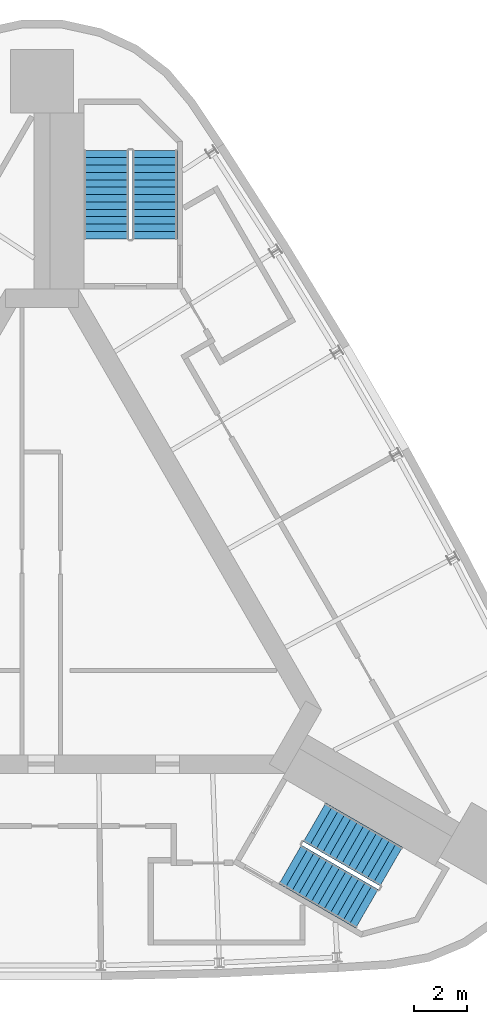
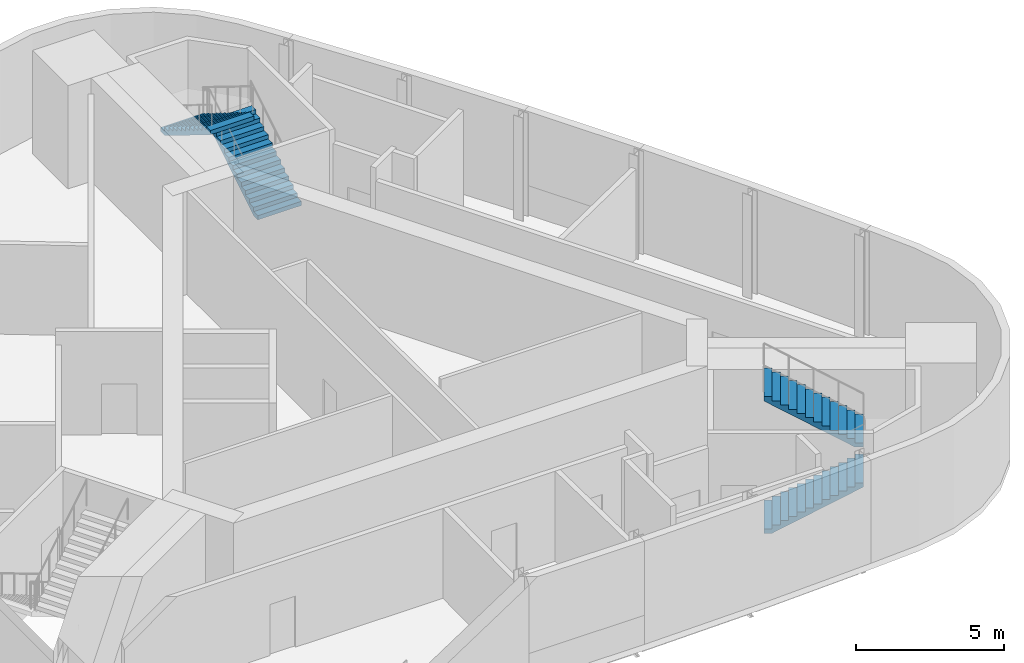
# One storey, part 6 of 7: 4 stair flights, 2 elements without a shape of their own.
"""IFC4 building model written with IfcOpenShell, lengths in metres."""

from ifc_helpers import new_model, si_unit, direction, frame, origin, place, context, subcontext, project, spatial, polyline, outline, extrude, material, type_object, element, aggregate, save


model = new_model("IFC4")

# Units and contexts
model_context = context("Model", 3, precision=1e-05, world=origin(), true_north=direction((0.0, 1.0)))
body_context = subcontext(model_context, "Body", "Model", "MODEL_VIEW")
ifc_project = project(units=[si_unit("LENGTHUNIT", "METRE"), si_unit("AREAUNIT", "SQUARE_METRE"), si_unit("VOLUMEUNIT", "CUBIC_METRE"), si_unit("PLANEANGLEUNIT", "RADIAN"), si_unit("MASSUNIT", "GRAM", prefix="KILO")], contexts=[model_context])

# Site, building, storey
site_placement = place(None, origin())
site = spatial("IfcSite", under=ifc_project, at=site_placement, CompositionType="ELEMENT")
building_placement = place(site_placement, origin())
building = spatial("IfcBuilding", under=site, at=building_placement, Name="Noor Cloister Tower", CompositionType="ELEMENT")
storey_placement = place(building_placement, frame((0.0, 0.0, 284.10009765625)))
storey = spatial("IfcBuildingStorey", under=building, at=storey_placement, Name="L72", CompositionType="ELEMENT", Elevation=284.10009765625)

# Stair, stair flights
ifc_material_1 = material(Name="Concrete C40/50", Category="concrete")
stair_type = type_object("IfcStairType", Name="Exit stair 26 risers", PredefinedType="HALF_TURN_STAIR", material=ifc_material_1)
stair_1_placement = place(storey_placement, origin())
stair_1 = element("IfcStair", 1, at=stair_1_placement, inside=storey, type_object=stair_type, Name="Exit stair ST1 L72", PredefinedType="HALF_TURN_STAIR")
ifc_material_2 = material(Name="Concrete C40/50", Category="concrete")
stair_flight_type = type_object("IfcStairFlightType", Name="Exit stair flight", PredefinedType="STRAIGHT", material=ifc_material_2)
stair_flight_1_placement = place(storey_placement, frame((4.28564453125, 13.3564453125, 0.0), z_axis=(0.0, 0.0, 1.0), x_axis=(0.0, 1.0, 0.0)))
stair_flight_1 = element("IfcStairFlight", 2, at=stair_flight_1_placement, type_object=stair_flight_type, Name="ST1 flight 1", NumberOfRisers=13, NumberOfTreads=12, PredefinedType="STRAIGHT", RiserHeight=0.173076923, TreadLength=0.28, context=body_context, shape_type="SweptSolid", body=[
    extrude(outline(polyline([(0.0, 0.0), (0.0, 0.173095703125), (0.280029296875, 0.173095703125), (0.280029296875, 0.34619140625), (0.56005859375, 0.34619140625), (0.56005859375, 0.519287109375), (0.840087890625, 0.519287109375), (0.840087890625, 0.6923828125), (1.1201171875, 0.6923828125), (1.1201171875, 0.865478515625), (1.39990234375, 0.865478515625), (1.39990234375, 1.03857421875), (1.679931640625, 1.03857421875), (1.679931640625, 1.21142578125), (1.9599609375, 1.21142578125), (1.9599609375, 1.384521484375), (2.239990234375, 1.384521484375), (2.239990234375, 1.5576171875), (2.52001953125, 1.5576171875), (2.52001953125, 1.730712890625), (2.800048828125, 1.730712890625), (2.800048828125, 1.90380859375), (3.080078125, 1.90380859375), (3.080078125, 2.076904296875), (3.360107421875, 2.076904296875), (3.360107421875, 2.25), (3.360107421875, 1.900634765625), (0.28515625, 0.0), (0.0, 0.0)])), frame((0.0, 0.85009765625, 0.0), z_axis=(0.0, -1.0, 0.0), x_axis=(1.0, 0.0, 0.0)), (0.0, 0.0, 1.0), 1.699951171875),
])
stair_flight_2_placement = place(storey_placement, frame((2.435546875, 16.71630859375, 2.25), z_axis=(0.0, 0.0, 1.0), x_axis=(0.0, -1.0, 0.0)))
stair_flight_2 = element("IfcStairFlight", 3, at=stair_flight_2_placement, type_object=stair_flight_type, Name="ST1 flight 2", NumberOfRisers=13, NumberOfTreads=12, PredefinedType="STRAIGHT", RiserHeight=0.173076923, TreadLength=0.28, context=body_context, shape_type="SweptSolid", body=[
    extrude(outline(polyline([(0.0, 0.0), (0.0, 0.173095703125), (0.280029296875, 0.173095703125), (0.280029296875, 0.34619140625), (0.56005859375, 0.34619140625), (0.56005859375, 0.519287109375), (0.840087890625, 0.519287109375), (0.840087890625, 0.6923828125), (1.1201171875, 0.6923828125), (1.1201171875, 0.865478515625), (1.39990234375, 0.865478515625), (1.39990234375, 1.03857421875), (1.679931640625, 1.03857421875), (1.679931640625, 1.21142578125), (1.9599609375, 1.21142578125), (1.9599609375, 1.384521484375), (2.239990234375, 1.384521484375), (2.239990234375, 1.5576171875), (2.52001953125, 1.5576171875), (2.52001953125, 1.730712890625), (2.800048828125, 1.730712890625), (2.800048828125, 1.90380859375), (3.080078125, 1.90380859375), (3.080078125, 2.076904296875), (3.360107421875, 2.076904296875), (3.360107421875, 2.25), (3.360107421875, 1.900634765625), (0.28515625, 0.0), (0.0, 0.0)])), frame((0.0, 0.85009765625, 0.0), z_axis=(0.0, -1.0, 0.0), x_axis=(1.0, 0.0, 0.0)), (0.0, 0.0, 1.0), 1.699951171875),
])
aggregate(stair_1, [stair_flight_1, stair_flight_2])

stair_2_placement = place(storey_placement, origin())
stair_2 = element("IfcStair", 4, at=stair_2_placement, inside=storey, type_object=stair_type, Name="Exit stair ST3 L72", PredefinedType="HALF_TURN_STAIR")
stair_flight_3_placement = place(storey_placement, frame((9.424072265625, -10.3896484375, 0.0), z_axis=(0.0, 0.0, 1.0), x_axis=(0.866025403784, -0.5, 0.0)))
stair_flight_3 = element("IfcStairFlight", 5, at=stair_flight_3_placement, type_object=stair_flight_type, Name="ST3 flight 1", NumberOfRisers=13, NumberOfTreads=12, PredefinedType="STRAIGHT", RiserHeight=0.173076923, TreadLength=0.28, context=body_context, shape_type="SweptSolid", body=[
    extrude(outline(polyline([(0.0, 0.0), (0.0, 0.173095703125), (0.280029296875, 0.173095703125), (0.280029296875, 0.34619140625), (0.56005859375, 0.34619140625), (0.56005859375, 0.519287109375), (0.840087890625, 0.519287109375), (0.840087890625, 0.6923828125), (1.1201171875, 0.6923828125), (1.1201171875, 0.865478515625), (1.39990234375, 0.865478515625), (1.39990234375, 1.03857421875), (1.679931640625, 1.03857421875), (1.679931640625, 1.21142578125), (1.9599609375, 1.21142578125), (1.9599609375, 1.384521484375), (2.239990234375, 1.384521484375), (2.239990234375, 1.5576171875), (2.52001953125, 1.5576171875), (2.52001953125, 1.730712890625), (2.800048828125, 1.730712890625), (2.800048828125, 1.90380859375), (3.080078125, 1.90380859375), (3.080078125, 2.076904296875), (3.360107421875, 2.076904296875), (3.360107421875, 2.25), (3.360107421875, 1.900634765625), (0.28515625, 0.0), (0.0, 0.0)])), frame((0.0, 0.85009765625, 0.0), z_axis=(0.0, -1.0, 0.0), x_axis=(1.0, 0.0, 0.0)), (0.0, 0.0, 1.0), 1.699951171875),
])
stair_flight_4_placement = place(storey_placement, frame((13.259033203125, -10.467529296875, 2.25), z_axis=(0.0, 0.0, 1.0), x_axis=(-0.866025403784, 0.5, 0.0)))
stair_flight_4 = element("IfcStairFlight", 6, at=stair_flight_4_placement, type_object=stair_flight_type, Name="ST3 flight 2", NumberOfRisers=13, NumberOfTreads=12, PredefinedType="STRAIGHT", RiserHeight=0.173076923, TreadLength=0.28, context=body_context, shape_type="SweptSolid", body=[
    extrude(outline(polyline([(0.0, 0.0), (0.0, 0.173095703125), (0.280029296875, 0.173095703125), (0.280029296875, 0.34619140625), (0.56005859375, 0.34619140625), (0.56005859375, 0.519287109375), (0.840087890625, 0.519287109375), (0.840087890625, 0.6923828125), (1.1201171875, 0.6923828125), (1.1201171875, 0.865478515625), (1.39990234375, 0.865478515625), (1.39990234375, 1.03857421875), (1.679931640625, 1.03857421875), (1.679931640625, 1.21142578125), (1.9599609375, 1.21142578125), (1.9599609375, 1.384521484375), (2.239990234375, 1.384521484375), (2.239990234375, 1.5576171875), (2.52001953125, 1.5576171875), (2.52001953125, 1.730712890625), (2.800048828125, 1.730712890625), (2.800048828125, 1.90380859375), (3.080078125, 1.90380859375), (3.080078125, 2.076904296875), (3.360107421875, 2.076904296875), (3.360107421875, 2.25), (3.360107421875, 1.900634765625), (0.28515625, 0.0), (0.0, 0.0)])), frame((0.0, 0.85009765625, 0.0), z_axis=(0.0, -1.0, 0.0), x_axis=(1.0, 0.0, 0.0)), (0.0, 0.0, 1.0), 1.699951171875),
])
aggregate(stair_2, [stair_flight_3, stair_flight_4])

save(model, "model.ifc")
